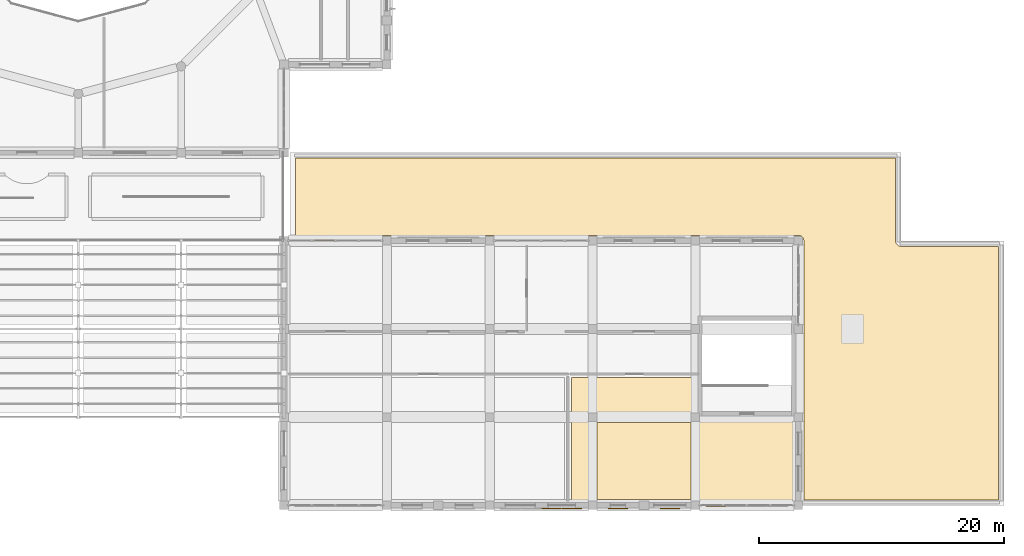
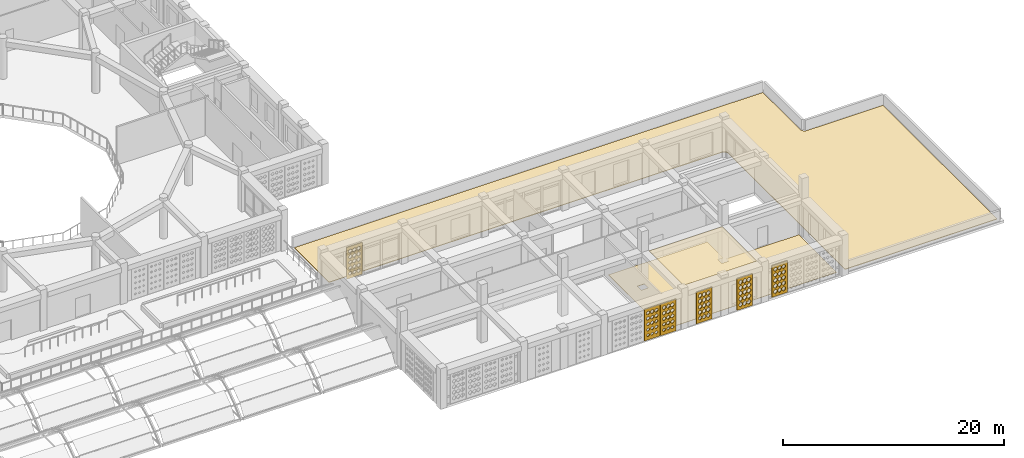
# One storey, part 80 of 100: 9 coverings.
"""IFC4 building model written with IfcOpenShell, lengths in metres."""

import ifcopenshell
import ifcopenshell.guid

model = None  # the IFC model being written
_history = None  # IfcOwnerHistory: only IFC2X3 demands one
_inside = {}  # id of a spatial element -> (the spatial element, [elements in it])
_under = {}  # id of a project, library or spatial element -> (it, [spatial elements below it])
_declared = {}  # id of a project -> (the project, [libraries it declares])
_typed = {}  # id of a type object -> (the type object, [elements of that type])
_made_of = {}  # id of a material, layer set ... -> (it, [elements and type objects made of it])


def new_model(schema):
    """Start an empty IFC model of exactly this schema.

    Asked for "IFC4X3", IfcOpenShell would pick the latest addendum, in which some entities
    have other attributes; the version numbers below select the first issue.
    IFC2X3 requires an IfcOwnerHistory on every rooted entity: one is made here for all.
    """
    global model, _history
    if schema == "IFC4X3":
        model = ifcopenshell.file(schema_version=(4, 3, 0, 0))
    else:
        model = ifcopenshell.file(schema=schema)
    _inside.clear()
    _under.clear()
    _declared.clear()
    _typed.clear()
    _made_of.clear()
    _history = None
    if model.schema == "IFC2X3":
        org = make("IfcOrganization", Name="unknown")
        user = make(
            "IfcPersonAndOrganization",
            ThePerson=make("IfcPerson", FamilyName="unknown"),
            TheOrganization=org,
        )
        app = make(
            "IfcApplication",
            ApplicationDeveloper=org,
            Version="unknown",
            ApplicationFullName="unknown",
            ApplicationIdentifier="unknown",
        )
        _history = make(
            "IfcOwnerHistory",
            OwningUser=user,
            OwningApplication=app,
            ChangeAction="ADDED",
            CreationDate=0,
        )
    return model


def make(cls, **values):
    """One entity of the class cls with the attributes given. An attribute that is None is left unset."""
    return model.create_entity(
        cls, **{name: value for name, value in values.items() if value is not None}
    )


def rooted(cls, **values):
    """An entity with a GlobalId (a new one), such as an element, a storey or a relation."""
    return make(cls, GlobalId=ifcopenshell.guid.new(), OwnerHistory=_history, **values)


def si_unit(unit_type, name, prefix=None):
    """IfcSIUnit, for example si_unit("LENGTHUNIT", "METRE", prefix="MILLI")."""
    return make("IfcSIUnit", UnitType=unit_type, Prefix=prefix, Name=name)


def derived_unit(unit_type, elements):
    """IfcDerivedUnit: a product of units, each with its exponent."""
    return make(
        "IfcDerivedUnit",
        Elements=[
            make("IfcDerivedUnitElement", Unit=unit, Exponent=power)
            for unit, power in elements
        ],
        UnitType=unit_type,
    )


def assignment(units):
    """IfcUnitAssignment: the units of a project."""
    return None if units is None else make("IfcUnitAssignment", Units=units)


def point(xyz):
    """IfcCartesianPoint."""
    return None if xyz is None else make("IfcCartesianPoint", Coordinates=xyz)


def direction(xyz):
    """IfcDirection."""
    return None if xyz is None else make("IfcDirection", DirectionRatios=xyz)


def frame(location, z_axis=None, x_axis=None):
    """IfcAxis2Placement3D, a coordinate frame: its origin and axes. An axis left out is left unset."""
    return make(
        "IfcAxis2Placement3D",
        Location=point(location),
        Axis=direction(z_axis),
        RefDirection=direction(x_axis),
    )


def origin():
    """The frame at (0, 0, 0) with its axes left unset."""
    return frame((0.0, 0.0, 0.0))


def place(relative_to, where):
    """IfcLocalPlacement: puts the frame where relative to a parent placement (None: the world)."""
    return make(
        "IfcLocalPlacement", PlacementRelTo=relative_to, RelativePlacement=where
    )


def context(
    kind, dimensions, precision=None, world=None, true_north=None, identifier=None
):
    """IfcGeometricRepresentationContext, for example the 3D "Model" context."""
    return make(
        "IfcGeometricRepresentationContext",
        ContextIdentifier=identifier,
        ContextType=kind,
        CoordinateSpaceDimension=dimensions,
        Precision=precision,
        WorldCoordinateSystem=world,
        TrueNorth=true_north,
    )


def subcontext(parent, identifier, kind, view, scale=None):
    """IfcGeometricRepresentationSubContext, for example "Body" below "Model"."""
    return make(
        "IfcGeometricRepresentationSubContext",
        ContextIdentifier=identifier,
        ContextType=kind,
        ParentContext=parent,
        TargetScale=scale,
        TargetView=view,
    )


def project(units=None, contexts=None):
    """IfcProject with its units and contexts."""
    return rooted(
        "IfcProject",
        Name="project",
        RepresentationContexts=contexts,
        UnitsInContext=assignment(units),
    )


def spatial(cls, under=None, at=None, **own):
    """A site, building, storey or space (cls), placed at a placement, below another one or the project."""
    s = rooted(cls, ObjectPlacement=at, **own)
    if under is not None:
        _under.setdefault(under.id(), (under, []))[1].append(s)
    return s


def polyline(points):
    """IfcPolyline through the points."""
    return make("IfcPolyline", Points=[point(p) for p in points])


def outline(outer, holes=None, kind="AREA"):
    """IfcArbitraryClosedProfileDef: a profile drawn as a closed curve; with holes, ...WithVoids."""
    if holes is None:
        return make("IfcArbitraryClosedProfileDef", ProfileType=kind, OuterCurve=outer)
    return make(
        "IfcArbitraryProfileDefWithVoids",
        ProfileType=kind,
        OuterCurve=outer,
        InnerCurves=holes,
    )


def extrude(swept, where, along, depth):
    """IfcExtrudedAreaSolid: the profile swept, set in the frame where, extruded along a direction by depth."""
    return make(
        "IfcExtrudedAreaSolid",
        SweptArea=swept,
        Position=where,
        ExtrudedDirection=direction(along),
        Depth=depth,
    )


def shape(context_of_items, identifier, shape_type, items):
    """IfcShapeRepresentation: the items that make up one representation, for example the "Body"."""
    return make(
        "IfcShapeRepresentation",
        ContextOfItems=context_of_items,
        RepresentationIdentifier=identifier,
        RepresentationType=shape_type,
        Items=items,
    )


def material(Name=None, Category=None):
    """IfcMaterial."""
    return make("IfcMaterial", Name=Name, Category=Category)


def layer(
    of_material, thickness, ventilated=None, Name=None, Category=None, Priority=None
):
    """IfcMaterialLayer: one layer of a wall or slab, of a material (None: an air gap)."""
    return make(
        "IfcMaterialLayer",
        Material=of_material,
        LayerThickness=thickness,
        IsVentilated=ventilated,
        Name=Name,
        Category=Category,
        Priority=Priority,
    )


def layer_set(layers, Name=None):
    """IfcMaterialLayerSet."""
    return make("IfcMaterialLayerSet", MaterialLayers=layers, LayerSetName=Name)


def made_of(thing, what):
    """Note that an element or type object is made of a material, layer set ...; save() writes the relation."""
    if what is not None:
        _made_of.setdefault(what.id(), (what, []))[1].append(thing)
    return thing


def type_object(cls, material=None, **own):
    """A type object (cls), such as IfcWallType, which elements share."""
    return made_of(rooted(cls, **own), material)


def element(
    cls,
    number,
    at=None,
    inside=None,
    cuts=None,
    type_object=None,
    material=None,
    context=None,
    identifier="Body",
    shape_type=None,
    held_by="IfcProductDefinitionShape",
    body=None,
    shapes=None,
    **own,
):
    """One element of the class cls, such as IfcWall. Its Tag is "e" and its number.

    at: its placement. inside: the storey or other place that contains it. cuts: it is an
    opening in that element (IfcRelVoidsElement). A single representation is given by context,
    identifier, shape_type and body (its items); several are given by shapes. held_by: the class
    of the entity that holds the representations. save() writes the other relations.
    """
    e = rooted(cls, Tag="e%d" % number, ObjectPlacement=at, **own)
    if body is not None:
        shapes = [shape(context, identifier, shape_type, body)]
    if shapes is not None:
        e.Representation = make(held_by, Representations=shapes)
    if inside is not None:
        _inside.setdefault(inside.id(), (inside, []))[1].append(e)
    if cuts is not None:
        rooted(
            "IfcRelVoidsElement", RelatingBuildingElement=cuts, RelatedOpeningElement=e
        )
    if type_object is not None:
        _typed.setdefault(type_object.id(), (type_object, []))[1].append(e)
    return made_of(e, material)


def aggregate(whole, parts):
    """IfcRelAggregates: a whole, such as a stair, and the parts it consists of."""
    return rooted("IfcRelAggregates", RelatingObject=whole, RelatedObjects=parts)


def save(model, path):
    """Write the relations noted so far, then the file.

    IfcRelAggregates (storeys below a building ...), IfcRelContainedInSpatialStructure (elements
    in a storey), IfcRelDefinesByType, IfcRelAssociatesMaterial and IfcRelDeclares: one each for
    every whole, place, type object, material and project.
    """
    for whole, parts in _under.values():
        aggregate(whole, parts)
    for where, things in _inside.values():
        rooted(
            "IfcRelContainedInSpatialStructure",
            RelatedElements=things,
            RelatingStructure=where,
        )
    for kind, things in _typed.values():
        rooted("IfcRelDefinesByType", RelatedObjects=things, RelatingType=kind)
    for what, things in _made_of.values():
        rooted("IfcRelAssociatesMaterial", RelatedObjects=things, RelatingMaterial=what)
    for by, libraries in _declared.values():
        rooted("IfcRelDeclares", RelatingContext=by, RelatedDefinitions=libraries)
    model.write(path)


model = new_model("IFC4")

# Units and contexts
model_context = context("Model", 3, precision=1e-05, world=origin(), true_north=direction((0.0, 1.0)))
body_context = subcontext(model_context, "Body", "Model", "MODEL_VIEW")
ifc_project = project(units=[si_unit("LENGTHUNIT", "METRE"), si_unit("AREAUNIT", "SQUARE_METRE"), si_unit("VOLUMEUNIT", "CUBIC_METRE"), si_unit("PLANEANGLEUNIT", "RADIAN"), si_unit("MASSUNIT", "GRAM", prefix="KILO"), derived_unit("THERMALTRANSMITTANCEUNIT", [(si_unit("POWERUNIT", "WATT"), 1), (si_unit("LENGTHUNIT", "METRE"), -2), (si_unit("THERMODYNAMICTEMPERATUREUNIT", "KELVIN"), -1)])], contexts=[model_context])

# Site, building, storey
site_placement = place(None, origin())
site = spatial("IfcSite", under=ifc_project, at=site_placement, CompositionType="ELEMENT")
building_placement = place(site_placement, origin())
building = spatial("IfcBuilding", under=site, at=building_placement, Name="Veybourne Emporium", CompositionType="ELEMENT")
storey_placement = place(building_placement, frame((0.0, 0.0, 14.39990234375)))
storey = spatial("IfcBuildingStorey", under=building, at=storey_placement, Name="L03", CompositionType="ELEMENT", Elevation=14.39990234375)

# Coverings
ifc_material_1 = material(Name="Mineral Acoustic Ceiling", Category="gypsum")
ifc_layer_1 = layer(ifc_material_1, 0.02490234375)
ifc_layer_set_1 = layer_set([ifc_layer_1], Name="Mineral Acoustic Ceiling")
covering_type_1 = type_object("IfcCoveringType", Name="Ceiling_CLG-01", PredefinedType="CEILING", material=ifc_layer_set_1)
covering_1_placement = place(storey_placement, frame((0.0, 0.0, 4.155029296875)))
element("IfcCovering", 1, at=covering_1_placement, inside=storey, type_object=covering_type_1, Name="L03 coffered acoustic ceiling 04", PredefinedType="CEILING", context=body_context, shape_type="SweptSolid", body=[
    extrude(outline(polyline([(125.626953125, 0.472900390625), (117.972900390625, 0.472900390625), (117.972900390625, 6.751953125), (125.626953125, 6.751953125), (125.626953125, 0.472900390625)])), origin(), (0.0, 0.0, 1.0), 0.025146484375),
])
ifc_material_2 = material(Name="European Oak Parquet", Category="wood")
ifc_layer_2 = layer(ifc_material_2, 0.034912109375)
ifc_layer_set_2 = layer_set([ifc_layer_2], Name="European Oak Parquet")
covering_type_2 = type_object("IfcCoveringType", Name="Flooring_FLR-02", PredefinedType="FLOORING", material=ifc_layer_set_2)
covering_2_placement = place(storey_placement, origin())
element("IfcCovering", 2, at=covering_2_placement, inside=storey, type_object=covering_type_2, Name="L03 floor finish 04", PredefinedType="FLOORING", context=body_context, shape_type="SweptSolid", body=[
    extrude(outline(polyline([(126.3583984375, 7.345458984375), (126.371826171875, 7.33740234375), (126.38916015625, 7.328125), (126.4033203125, 7.3212890625), (126.42138671875, 7.31396484375), (126.43603515625, 7.30859375), (126.454833984375, 7.302978515625), (126.47021484375, 7.299072265625), (126.489501953125, 7.295166015625), (126.505126953125, 7.29296875), (126.5244140625, 7.291015625), (126.540283203125, 7.290283203125), (126.550048828125, 7.2900390625), (133.85009765625, 7.2900390625), (133.85986328125, 7.290283203125), (133.87548828125, 7.291015625), (133.89501953125, 7.29296875), (133.910400390625, 7.295166015625), (133.929931640625, 7.299072265625), (133.945068359375, 7.302978515625), (133.9599609375, 7.307373046875), (133.9599609375, 0.43994140625), (115.860107421875, 0.43994140625), (115.860107421875, 10.43994140625), (126.18994140625, 10.43994140625), (126.18994140625, 7.64990234375), (126.190185546875, 7.64013671875), (126.19091796875, 7.62451171875), (126.19287109375, 7.60498046875), (126.1953125, 7.589599609375), (126.198974609375, 7.570068359375), (126.202880859375, 7.554931640625), (125.64501953125, 7.554931640625), (125.64501953125, 6.844970703125), (126.35498046875, 6.844970703125), (126.35498046875, 7.34765625), (126.3583984375, 7.345458984375)]), holes=[polyline([(117.2451171875, 7.554931640625), (117.2451171875, 6.844970703125), (117.955078125, 6.844970703125), (117.955078125, 7.554931640625), (117.2451171875, 7.554931640625)])]), origin(), (0.0, 0.0, 1.0), 0.03515625),
])
ifc_material_3 = material(Name="Single-Ply Warm Roof Membrane", Category="membrane")
ifc_layer_3 = layer(ifc_material_3, 0.06005859375)
ifc_layer_set_3 = layer_set([ifc_layer_3], Name="Single-Ply Warm Roof Membrane")
covering_type_3 = type_object("IfcCoveringType", Name="Roofing_RFG-01", PredefinedType="ROOFING", material=ifc_layer_set_3)
covering_3_placement = place(storey_placement, origin())
element("IfcCovering", 3, at=covering_3_placement, inside=storey, type_object=covering_type_3, Name="L03 warm-roof waterproofing membrane 4.1", PredefinedType="ROOFING", context=body_context, shape_type="SweptSolid", body=[
    extrude(outline(polyline([(93.35009765625, 22.050048828125), (93.35009765625, 28.35009765625), (142.35009765625, 28.35009765625), (142.35009765625, 21.60009765625), (142.35205078125, 21.555908203125), (142.358642578125, 21.51220703125), (142.369384765625, 21.469482421875), (142.38427734375, 21.427734375), (142.403076171875, 21.387939453125), (142.42578125, 21.35009765625), (142.4521484375, 21.314453125), (142.481689453125, 21.28173828125), (142.514404296875, 21.252197265625), (142.550048828125, 21.225830078125), (142.587890625, 21.203125), (142.627685546875, 21.184326171875), (142.66943359375, 21.16943359375), (142.712158203125, 21.15869140625), (142.755859375, 21.152099609375), (142.800048828125, 21.14990234375), (150.75, 21.14990234375), (150.75, 0.449951171875), (134.85009765625, 0.449951171875), (134.85009765625, 21.60009765625), (134.847900390625, 21.64404296875), (134.84130859375, 21.687744140625), (134.83056640625, 21.730712890625), (134.815673828125, 21.772216796875), (134.796875, 21.81201171875), (134.774169921875, 21.85009765625), (134.747802734375, 21.885498046875), (134.71826171875, 21.918212890625), (134.685546875, 21.94775390625), (134.64990234375, 21.97412109375), (134.612060546875, 21.996826171875), (134.572265625, 22.015869140625), (134.530517578125, 22.030517578125), (134.48779296875, 22.041259765625), (134.444091796875, 22.0478515625), (134.39990234375, 22.050048828125), (93.35009765625, 22.050048828125)])), origin(), (0.0, 0.0, 1.0), 0.06005859375),
])
ifc_material_4 = material(Name="Warm-White Perforated Aluminium Screen Alloy", Category="aluminium")
ifc_layer_4 = layer(ifc_material_4, 0.06005859375)
ifc_layer_set_4 = layer_set([ifc_layer_4], Name="Warm-White Perforated Aluminium Screen Alloy")
covering_type_4 = type_object("IfcCoveringType", Name="WaveScreen_SCR-01", PredefinedType="CLADDING", material=ifc_layer_set_4)
covering_4_placement = place(storey_placement, frame((95.760009765625, 21.693115234375, 1.815185546875), z_axis=(0.0, -1.0, 0.0), x_axis=(1.0, 0.0, 0.0)))
element("IfcCovering", 4, at=covering_4_placement, inside=storey, type_object=covering_type_4, Name="L03 wave-perforated aluminium screen SCR-01 (51C.2)", PredefinedType="CLADDING", context=body_context, shape_type="SweptSolid", body=[
    extrude(outline(polyline([(-0.81982421875, -1.7548828125), (0.81982421875, -1.7548828125), (0.81982421875, 1.7548828125), (-0.81982421875, 1.7548828125), (-0.81982421875, -1.7548828125)]), holes=[polyline([(-0.433349609375, -1.025390625), (-0.257568359375, -1.155029296875), (-0.257568359375, -1.30078125), (-0.433349609375, -1.430419921875), (-0.60888671875, -1.30078125), (-0.60888671875, -1.155029296875), (-0.433349609375, -1.025390625)]), polyline([(-0.433349609375, -0.397705078125), (-0.2470703125, -0.5361328125), (-0.2470703125, -0.69189453125), (-0.433349609375, -0.830322265625), (-0.61962890625, -0.69189453125), (-0.61962890625, -0.5361328125), (-0.433349609375, -0.397705078125)]), polyline([(-0.433349609375, 0.2294921875), (-0.2470703125, 0.08251953125), (-0.2470703125, -0.08251953125), (-0.433349609375, -0.2294921875), (-0.61962890625, -0.08251953125), (-0.61962890625, 0.08251953125), (-0.433349609375, 0.2294921875)]), polyline([(-0.433349609375, 0.855712890625), (-0.2470703125, 0.700927734375), (-0.2470703125, 0.527099609375), (-0.433349609375, 0.372314453125), (-0.61962890625, 0.527099609375), (-0.61962890625, 0.700927734375), (-0.433349609375, 0.855712890625)]), polyline([(-0.433349609375, 1.480224609375), (-0.2470703125, 1.31884765625), (-0.2470703125, 1.13720703125), (-0.433349609375, 0.975830078125), (-0.61962890625, 1.13720703125), (-0.61962890625, 1.31884765625), (-0.433349609375, 1.480224609375)]), polyline([(0.0, -1.01904296875), (0.180908203125, -1.15283203125), (0.180908203125, -1.30322265625), (0.0, -1.43701171875), (-0.180908203125, -1.30322265625), (-0.180908203125, -1.15283203125), (0.0, -1.01904296875)]), polyline([(0.0, -0.3916015625), (0.186279296875, -0.533935546875), (0.186279296875, -0.694091796875), (0.0, -0.83642578125), (-0.186279296875, -0.694091796875), (-0.186279296875, -0.533935546875), (0.0, -0.3916015625)]), polyline([(0.0, 0.235107421875), (0.186279296875, 0.084716796875), (0.186279296875, -0.084716796875), (0.0, -0.235107421875), (-0.186279296875, -0.084716796875), (-0.186279296875, 0.084716796875), (0.0, 0.235107421875)]), polyline([(0.0, 0.860595703125), (0.186279296875, 0.702880859375), (0.186279296875, 0.525146484375), (0.0, 0.367431640625), (-0.186279296875, 0.525146484375), (-0.186279296875, 0.702880859375), (0.0, 0.860595703125)]), polyline([(0.0, 1.484619140625), (0.186279296875, 1.3203125), (0.186279296875, 1.1357421875), (0.0, 0.971435546875), (-0.186279296875, 1.1357421875), (-0.186279296875, 1.3203125), (0.0, 1.484619140625)]), polyline([(0.433349609375, -1.012939453125), (0.619384765625, -1.150634765625), (0.619384765625, -1.305419921875), (0.433349609375, -1.443115234375), (0.247314453125, -1.305419921875), (0.247314453125, -1.150634765625), (0.433349609375, -1.012939453125)]), polyline([(0.433349609375, -0.385498046875), (0.61962890625, -0.53173828125), (0.61962890625, -0.6962890625), (0.433349609375, -0.84228515625), (0.2470703125, -0.6962890625), (0.2470703125, -0.53173828125), (0.433349609375, -0.385498046875)]), polyline([(0.433349609375, 0.240478515625), (0.61962890625, 0.086669921875), (0.61962890625, -0.086669921875), (0.433349609375, -0.240478515625), (0.2470703125, -0.086669921875), (0.2470703125, 0.086669921875), (0.433349609375, 0.240478515625)]), polyline([(0.433349609375, 0.865234375), (0.61962890625, 0.70458984375), (0.61962890625, 0.5234375), (0.433349609375, 0.36279296875), (0.2470703125, 0.5234375), (0.2470703125, 0.70458984375), (0.433349609375, 0.865234375)]), polyline([(0.433349609375, 1.48828125), (0.61962890625, 1.32177734375), (0.61962890625, 1.13427734375), (0.433349609375, 0.9677734375), (0.2470703125, 1.13427734375), (0.2470703125, 1.32177734375), (0.433349609375, 1.48828125)])]), origin(), (0.0, 0.0, 1.0), 0.06005859375),
])
covering_5_placement = place(storey_placement, frame((123.925048828125, -0.298095703125, 1.815185546875), z_axis=(0.0, 1.0, 0.0), x_axis=(-1.0, 0.0, 0.0)))
element("IfcCovering", 5, at=covering_5_placement, inside=storey, type_object=covering_type_4, Name="L03 wave-perforated aluminium screen SCR-01 (64A.1)", PredefinedType="CLADDING", context=body_context, shape_type="SweptSolid", body=[
    extrude(outline(polyline([(-0.81982421875, -1.7548828125), (0.81982421875, -1.7548828125), (0.81982421875, 1.7548828125), (-0.81982421875, 1.7548828125), (-0.81982421875, -1.7548828125)]), holes=[polyline([(-0.433349609375, -0.964111328125), (-0.2470703125, -1.133056640625), (-0.2470703125, -1.322998046875), (-0.433349609375, -1.491943359375), (-0.61962890625, -1.322998046875), (-0.61962890625, -1.133056640625), (-0.433349609375, -0.964111328125)]), polyline([(-0.433349609375, -0.35009765625), (-0.2470703125, -0.51904296875), (-0.2470703125, -0.708984375), (-0.433349609375, -0.8779296875), (-0.61962890625, -0.708984375), (-0.61962890625, -0.51904296875), (-0.433349609375, -0.35009765625)]), polyline([(-0.433349609375, 0.263916015625), (-0.2470703125, 0.094970703125), (-0.2470703125, -0.094970703125), (-0.433349609375, -0.263916015625), (-0.61962890625, -0.094970703125), (-0.61962890625, 0.094970703125), (-0.433349609375, 0.263916015625)]), polyline([(-0.433349609375, 0.8779296875), (-0.2470703125, 0.708984375), (-0.2470703125, 0.51904296875), (-0.433349609375, 0.35009765625), (-0.61962890625, 0.51904296875), (-0.61962890625, 0.708984375), (-0.433349609375, 0.8779296875)]), polyline([(-0.433349609375, 1.491943359375), (-0.2470703125, 1.322998046875), (-0.2470703125, 1.133056640625), (-0.433349609375, 0.964111328125), (-0.61962890625, 1.133056640625), (-0.61962890625, 1.322998046875), (-0.433349609375, 1.491943359375)]), polyline([(0.0, -0.964111328125), (0.186279296875, -1.133056640625), (0.186279296875, -1.322998046875), (0.0, -1.491943359375), (-0.186279296875, -1.322998046875), (-0.186279296875, -1.133056640625), (0.0, -0.964111328125)]), polyline([(0.0, -0.35009765625), (0.186279296875, -0.51904296875), (0.186279296875, -0.708984375), (0.0, -0.8779296875), (-0.186279296875, -0.708984375), (-0.186279296875, -0.51904296875), (0.0, -0.35009765625)]), polyline([(0.0, 0.263916015625), (0.186279296875, 0.094970703125), (0.186279296875, -0.094970703125), (0.0, -0.263916015625), (-0.186279296875, -0.094970703125), (-0.186279296875, 0.094970703125), (0.0, 0.263916015625)]), polyline([(0.0, 0.8779296875), (0.186279296875, 0.708984375), (0.186279296875, 0.51904296875), (0.0, 0.35009765625), (-0.186279296875, 0.51904296875), (-0.186279296875, 0.708984375), (0.0, 0.8779296875)]), polyline([(0.0, 1.491943359375), (0.186279296875, 1.322998046875), (0.186279296875, 1.133056640625), (0.0, 0.964111328125), (-0.186279296875, 1.133056640625), (-0.186279296875, 1.322998046875), (0.0, 1.491943359375)]), polyline([(0.433349609375, -0.964111328125), (0.61962890625, -1.133056640625), (0.61962890625, -1.322998046875), (0.433349609375, -1.491943359375), (0.2470703125, -1.322998046875), (0.2470703125, -1.133056640625), (0.433349609375, -0.964111328125)]), polyline([(0.433349609375, -0.35009765625), (0.61962890625, -0.51904296875), (0.61962890625, -0.708984375), (0.433349609375, -0.8779296875), (0.2470703125, -0.708984375), (0.2470703125, -0.51904296875), (0.433349609375, -0.35009765625)]), polyline([(0.433349609375, 0.263916015625), (0.61962890625, 0.094970703125), (0.61962890625, -0.094970703125), (0.433349609375, -0.263916015625), (0.2470703125, -0.094970703125), (0.2470703125, 0.094970703125), (0.433349609375, 0.263916015625)]), polyline([(0.433349609375, 0.8779296875), (0.61962890625, 0.708984375), (0.61962890625, 0.51904296875), (0.433349609375, 0.35009765625), (0.2470703125, 0.51904296875), (0.2470703125, 0.708984375), (0.433349609375, 0.8779296875)]), polyline([(0.433349609375, 1.491943359375), (0.61962890625, 1.322998046875), (0.61962890625, 1.133056640625), (0.433349609375, 0.964111328125), (0.2470703125, 1.133056640625), (0.2470703125, 1.322998046875), (0.433349609375, 1.491943359375)])]), origin(), (0.0, 0.0, 1.0), 0.06005859375),
])
covering_6_placement = place(storey_placement, frame((119.675048828125, -0.298095703125, 1.815185546875), z_axis=(0.0, 1.0, 0.0), x_axis=(-1.0, 0.0, 0.0)))
element("IfcCovering", 6, at=covering_6_placement, inside=storey, type_object=covering_type_4, Name="L03 wave-perforated aluminium screen SCR-01 (64B.1)", PredefinedType="CLADDING", context=body_context, shape_type="SweptSolid", body=[
    extrude(outline(polyline([(-0.81982421875, -1.7548828125), (0.81982421875, -1.7548828125), (0.81982421875, 1.7548828125), (-0.81982421875, 1.7548828125), (-0.81982421875, -1.7548828125)]), holes=[polyline([(-0.433349609375, -0.986572265625), (-0.2470703125, -1.14111328125), (-0.2470703125, -1.31494140625), (-0.433349609375, -1.469482421875), (-0.61962890625, -1.31494140625), (-0.61962890625, -1.14111328125), (-0.433349609375, -0.986572265625)]), polyline([(-0.433349609375, -0.36181640625), (-0.2470703125, -0.523193359375), (-0.2470703125, -0.70458984375), (-0.433349609375, -0.8662109375), (-0.61962890625, -0.70458984375), (-0.61962890625, -0.523193359375), (-0.433349609375, -0.36181640625)]), polyline([(-0.433349609375, 0.260986328125), (-0.2470703125, 0.093994140625), (-0.2470703125, -0.093994140625), (-0.433349609375, -0.260986328125), (-0.61962890625, -0.093994140625), (-0.61962890625, 0.093994140625), (-0.433349609375, 0.260986328125)]), polyline([(-0.433349609375, 0.8779296875), (-0.2470703125, 0.708984375), (-0.2470703125, 0.51904296875), (-0.433349609375, 0.35009765625), (-0.61962890625, 0.51904296875), (-0.61962890625, 0.708984375), (-0.433349609375, 0.8779296875)]), polyline([(-0.433349609375, 1.491943359375), (-0.2470703125, 1.322998046875), (-0.2470703125, 1.133056640625), (-0.433349609375, 0.964111328125), (-0.61962890625, 1.133056640625), (-0.61962890625, 1.322998046875), (-0.433349609375, 1.491943359375)]), polyline([(0.0, -0.991943359375), (0.186279296875, -1.14306640625), (0.186279296875, -1.31298828125), (0.0, -1.464111328125), (-0.186279296875, -1.31298828125), (-0.186279296875, -1.14306640625), (0.0, -0.991943359375)]), polyline([(0.0, -0.36669921875), (0.186279296875, -0.52490234375), (0.186279296875, -0.703125), (0.0, -0.861328125), (-0.186279296875, -0.703125), (-0.186279296875, -0.52490234375), (0.0, -0.36669921875)]), polyline([(0.0, 0.257080078125), (0.186279296875, 0.092529296875), (0.186279296875, -0.092529296875), (0.0, -0.257080078125), (-0.186279296875, -0.092529296875), (-0.186279296875, 0.092529296875), (0.0, 0.257080078125)]), polyline([(0.0, 0.8779296875), (0.186279296875, 0.708984375), (0.186279296875, 0.51904296875), (0.0, 0.35009765625), (-0.186279296875, 0.51904296875), (-0.186279296875, 0.708984375), (0.0, 0.8779296875)]), polyline([(0.0, 1.491943359375), (0.186279296875, 1.322998046875), (0.186279296875, 1.133056640625), (0.0, 0.964111328125), (-0.186279296875, 1.133056640625), (-0.186279296875, 1.322998046875), (0.0, 1.491943359375)]), polyline([(0.433349609375, -0.99755859375), (0.61962890625, -1.14501953125), (0.61962890625, -1.31103515625), (0.433349609375, -1.45849609375), (0.2470703125, -1.31103515625), (0.2470703125, -1.14501953125), (0.433349609375, -0.99755859375)]), polyline([(0.433349609375, -0.37158203125), (0.61962890625, -0.526611328125), (0.61962890625, -0.701416015625), (0.433349609375, -0.8564453125), (0.2470703125, -0.701416015625), (0.2470703125, -0.526611328125), (0.433349609375, -0.37158203125)]), polyline([(0.433349609375, 0.2529296875), (0.61962890625, 0.091064453125), (0.61962890625, -0.091064453125), (0.433349609375, -0.2529296875), (0.2470703125, -0.091064453125), (0.2470703125, 0.091064453125), (0.433349609375, 0.2529296875)]), polyline([(0.433349609375, 0.875732421875), (0.61962890625, 0.708251953125), (0.61962890625, 0.519775390625), (0.433349609375, 0.352294921875), (0.2470703125, 0.519775390625), (0.2470703125, 0.708251953125), (0.433349609375, 0.875732421875)]), polyline([(0.433349609375, 1.491943359375), (0.61962890625, 1.322998046875), (0.61962890625, 1.133056640625), (0.433349609375, 0.964111328125), (0.2470703125, 1.133056640625), (0.2470703125, 1.322998046875), (0.433349609375, 1.491943359375)])]), origin(), (0.0, 0.0, 1.0), 0.06005859375),
])
ifc_layer_5 = layer(ifc_material_4, 0.06005859375)
ifc_layer_set_5 = layer_set([ifc_layer_5], Name="Warm-White Perforated Aluminium Screen Alloy")
covering_type_5 = type_object("IfcCoveringType", Name="WaveScreen_SCR-02", PredefinedType="CLADDING", material=ifc_layer_set_5)
covering_7_placement = place(storey_placement, frame((127.679931640625, -0.095458984375, 1.815185546875), z_axis=(0.0, 1.0, 0.0), x_axis=(-1.0, 0.0, 0.0)))
element("IfcCovering", 7, at=covering_7_placement, inside=storey, type_object=covering_type_5, Name="L03 wave-perforated aluminium screen SCR-02 (66C.4)", PredefinedType="CLADDING", context=body_context, shape_type="SweptSolid", body=[
    extrude(outline(polyline([(-0.81982421875, -1.7548828125), (0.81982421875, -1.7548828125), (0.81982421875, 1.7548828125), (-0.81982421875, 1.7548828125), (-0.81982421875, -1.7548828125)]), holes=[polyline([(-0.433349609375, -0.96484375), (-0.2470703125, -1.13330078125), (-0.2470703125, -1.32275390625), (-0.433349609375, -1.4912109375), (-0.61962890625, -1.32275390625), (-0.61962890625, -1.13330078125), (-0.433349609375, -0.96484375)]), polyline([(-0.433349609375, -0.359130859375), (-0.2470703125, -0.522216796875), (-0.2470703125, -0.705810546875), (-0.433349609375, -0.868896484375), (-0.61962890625, -0.705810546875), (-0.61962890625, -0.522216796875), (-0.433349609375, -0.359130859375)]), polyline([(-0.433349609375, 0.24462890625), (-0.2470703125, 0.088134765625), (-0.2470703125, -0.088134765625), (-0.433349609375, -0.24462890625), (-0.61962890625, -0.088134765625), (-0.61962890625, 0.088134765625), (-0.433349609375, 0.24462890625)]), polyline([(-0.433349609375, 0.846923828125), (-0.2470703125, 0.697998046875), (-0.2470703125, 0.530029296875), (-0.433349609375, 0.381103515625), (-0.61962890625, 0.530029296875), (-0.61962890625, 0.697998046875), (-0.433349609375, 0.846923828125)]), polyline([(-0.433349609375, 1.447998046875), (-0.2470703125, 1.307373046875), (-0.2470703125, 1.148681640625), (-0.433349609375, 1.0078125), (-0.61962890625, 1.148681640625), (-0.61962890625, 1.307373046875), (-0.433349609375, 1.447998046875)]), polyline([(0.0, -0.964111328125), (0.186279296875, -1.133056640625), (0.186279296875, -1.322998046875), (0.0, -1.491943359375), (-0.186279296875, -1.322998046875), (-0.186279296875, -1.133056640625), (0.0, -0.964111328125)]), polyline([(0.0, -0.35498046875), (0.186279296875, -0.520751953125), (0.186279296875, -0.707275390625), (0.0, -0.872802734375), (-0.186279296875, -0.707275390625), (-0.186279296875, -0.520751953125), (0.0, -0.35498046875)]), polyline([(0.0, 0.24951171875), (0.186279296875, 0.08984375), (0.186279296875, -0.08984375), (0.0, -0.24951171875), (-0.186279296875, -0.08984375), (-0.186279296875, 0.08984375), (0.0, 0.24951171875)]), polyline([(0.0, 0.8525390625), (0.186279296875, 0.699951171875), (0.186279296875, 0.528076171875), (0.0, 0.37548828125), (-0.186279296875, 0.528076171875), (-0.186279296875, 0.699951171875), (0.0, 0.8525390625)]), polyline([(0.0, 1.4541015625), (0.186279296875, 1.309326171875), (0.186279296875, 1.146484375), (0.0, 1.001953125), (-0.186279296875, 1.146484375), (-0.186279296875, 1.309326171875), (0.0, 1.4541015625)]), polyline([(0.433349609375, -0.964111328125), (0.61962890625, -1.133056640625), (0.61962890625, -1.322998046875), (0.433349609375, -1.491943359375), (0.2470703125, -1.322998046875), (0.2470703125, -1.133056640625), (0.433349609375, -0.964111328125)]), polyline([(0.433349609375, -0.3515625), (0.61962890625, -0.51953125), (0.61962890625, -0.70849609375), (0.433349609375, -0.87646484375), (0.2470703125, -0.70849609375), (0.2470703125, -0.51953125), (0.433349609375, -0.3515625)]), polyline([(0.433349609375, 0.25390625), (0.61962890625, 0.09130859375), (0.61962890625, -0.09130859375), (0.433349609375, -0.25390625), (0.2470703125, -0.09130859375), (0.2470703125, 0.09130859375), (0.433349609375, 0.25390625)]), polyline([(0.433349609375, 0.857666015625), (0.61962890625, 0.70166015625), (0.61962890625, 0.5263671875), (0.433349609375, 0.370361328125), (0.2470703125, 0.5263671875), (0.2470703125, 0.70166015625), (0.433349609375, 0.857666015625)]), polyline([(0.433349609375, 1.4599609375), (0.61962890625, 1.3115234375), (0.61962890625, 1.14453125), (0.433349609375, 0.99609375), (0.2470703125, 1.14453125), (0.2470703125, 1.3115234375), (0.433349609375, 1.4599609375)])]), origin(), (0.0, 0.0, 1.0), 0.06005859375),
])
ifc_layer_6 = layer(ifc_material_4, 0.06005859375)
ifc_layer_set_6 = layer_set([ifc_layer_6], Name="Warm-White Perforated Aluminium Screen Alloy")
covering_type_6 = type_object("IfcCoveringType", Name="WaveScreen_SCR-03", PredefinedType="CLADDING", material=ifc_layer_set_6)
covering_8_placement = place(storey_placement, frame((115.919921875, -0.298095703125, 1.815185546875), z_axis=(0.0, 1.0, 0.0), x_axis=(-1.0, 0.0, 0.0)))
element("IfcCovering", 8, at=covering_8_placement, inside=storey, type_object=covering_type_6, Name="L03 wave-perforated aluminium screen SCR-03 (62.1)", PredefinedType="CLADDING", context=body_context, shape_type="SweptSolid", body=[
    extrude(outline(polyline([(-0.81982421875, -1.7548828125), (0.81982421875, -1.7548828125), (0.81982421875, 1.7548828125), (-0.81982421875, 1.7548828125), (-0.81982421875, -1.7548828125)]), holes=[polyline([(-0.433349609375, -1.038818359375), (-0.2685546875, -1.159912109375), (-0.2685546875, -1.296142578125), (-0.433349609375, -1.4169921875), (-0.59814453125, -1.296142578125), (-0.59814453125, -1.159912109375), (-0.433349609375, -1.038818359375)]), polyline([(-0.433349609375, -0.41064453125), (-0.257080078125, -0.540771484375), (-0.257080078125, -0.687255859375), (-0.433349609375, -0.8173828125), (-0.609619140625, -0.687255859375), (-0.609619140625, -0.540771484375), (-0.433349609375, -0.41064453125)]), polyline([(-0.433349609375, 0.217041015625), (-0.2470703125, 0.078125), (-0.2470703125, -0.078125), (-0.433349609375, -0.217041015625), (-0.61962890625, -0.078125), (-0.61962890625, 0.078125), (-0.433349609375, 0.217041015625)]), polyline([(-0.433349609375, 0.84423828125), (-0.2470703125, 0.697021484375), (-0.2470703125, 0.531005859375), (-0.433349609375, 0.3837890625), (-0.61962890625, 0.531005859375), (-0.61962890625, 0.697021484375), (-0.433349609375, 0.84423828125)]), polyline([(-0.433349609375, 1.47021484375), (-0.2470703125, 1.315185546875), (-0.2470703125, 1.140869140625), (-0.433349609375, 0.98583984375), (-0.61962890625, 1.140869140625), (-0.61962890625, 1.315185546875), (-0.433349609375, 1.47021484375)]), polyline([(0.0, -1.04541015625), (0.159423828125, -1.162109375), (0.159423828125, -1.293701171875), (0.0, -1.41064453125), (-0.159423828125, -1.293701171875), (-0.159423828125, -1.162109375), (0.0, -1.04541015625)]), polyline([(0.0, -0.4169921875), (0.171142578125, -0.543212890625), (0.171142578125, -0.684814453125), (0.0, -0.810791015625), (-0.171142578125, -0.684814453125), (-0.171142578125, -0.543212890625), (0.0, -0.4169921875)]), polyline([(0.0, 0.2109375), (0.1826171875, 0.075927734375), (0.1826171875, -0.075927734375), (0.0, -0.2109375), (-0.1826171875, -0.075927734375), (-0.1826171875, 0.075927734375), (0.0, 0.2109375)]), polyline([(0.0, 0.83837890625), (0.186279296875, 0.69482421875), (0.186279296875, 0.533203125), (0.0, 0.3896484375), (-0.186279296875, 0.533203125), (-0.186279296875, 0.69482421875), (0.0, 0.83837890625)]), polyline([(0.0, 1.46484375), (0.186279296875, 1.313232421875), (0.186279296875, 1.142578125), (0.0, 0.9912109375), (-0.186279296875, 1.142578125), (-0.186279296875, 1.313232421875), (0.0, 1.46484375)]), polyline([(0.433349609375, -1.051513671875), (0.587646484375, -1.16455078125), (0.587646484375, -1.29150390625), (0.433349609375, -1.404296875), (0.279052734375, -1.29150390625), (0.279052734375, -1.16455078125), (0.433349609375, -1.051513671875)]), polyline([(0.433349609375, -0.423583984375), (0.59912109375, -0.54541015625), (0.59912109375, -0.6826171875), (0.433349609375, -0.804443359375), (0.267578125, -0.6826171875), (0.267578125, -0.54541015625), (0.433349609375, -0.423583984375)]), polyline([(0.433349609375, 0.20458984375), (0.610595703125, 0.073486328125), (0.610595703125, -0.073486328125), (0.433349609375, -0.20458984375), (0.256103515625, -0.073486328125), (0.256103515625, 0.073486328125), (0.433349609375, 0.20458984375)]), polyline([(0.433349609375, 0.83251953125), (0.61962890625, 0.692626953125), (0.61962890625, 0.535400390625), (0.433349609375, 0.3955078125), (0.2470703125, 0.535400390625), (0.2470703125, 0.692626953125), (0.433349609375, 0.83251953125)]), polyline([(0.433349609375, 1.45947265625), (0.61962890625, 1.311279296875), (0.61962890625, 1.144775390625), (0.433349609375, 0.99658203125), (0.2470703125, 1.144775390625), (0.2470703125, 1.311279296875), (0.433349609375, 1.45947265625)])]), origin(), (0.0, 0.0, 1.0), 0.06005859375),
])
ifc_layer_7 = layer(ifc_material_4, 0.06005859375)
ifc_layer_set_7 = layer_set([ifc_layer_7], Name="Warm-White Perforated Aluminium Screen Alloy")
covering_type_7 = type_object("IfcCoveringType", Name="WaveScreen_SCR-04", PredefinedType="CLADDING", material=ifc_layer_set_7)
covering_9_placement = place(storey_placement, frame((114.239990234375, -0.298095703125, 1.815185546875), z_axis=(0.0, 1.0, 0.0), x_axis=(-1.0, 0.0, 0.0)))
element("IfcCovering", 9, at=covering_9_placement, inside=storey, type_object=covering_type_7, Name="L03 wave-perforated aluminium screen SCR-04 (62.2)", PredefinedType="CLADDING", context=body_context, shape_type="SweptSolid", body=[
    extrude(outline(polyline([(-0.81982421875, -1.7548828125), (0.81982421875, -1.7548828125), (0.81982421875, 1.7548828125), (-0.81982421875, 1.7548828125), (-0.81982421875, -1.7548828125)]), holes=[polyline([(-0.433349609375, -1.063232421875), (-0.28857421875, -1.168701171875), (-0.28857421875, -1.287353515625), (-0.433349609375, -1.392578125), (-0.578125, -1.287353515625), (-0.578125, -1.168701171875), (-0.433349609375, -1.063232421875)]), polyline([(-0.433349609375, -0.435546875), (-0.27734375, -0.5498046875), (-0.27734375, -0.67822265625), (-0.433349609375, -0.79248046875), (-0.58935546875, -0.67822265625), (-0.58935546875, -0.5498046875), (-0.433349609375, -0.435546875)]), polyline([(-0.433349609375, 0.1923828125), (-0.265869140625, 0.0693359375), (-0.265869140625, -0.0693359375), (-0.433349609375, -0.1923828125), (-0.600830078125, -0.0693359375), (-0.600830078125, 0.0693359375), (-0.433349609375, 0.1923828125)]), polyline([(-0.433349609375, 0.820556640625), (-0.25439453125, 0.6884765625), (-0.25439453125, 0.53955078125), (-0.433349609375, 0.407470703125), (-0.6123046875, 0.53955078125), (-0.6123046875, 0.6884765625), (-0.433349609375, 0.820556640625)]), polyline([(-0.433349609375, 1.4482421875), (-0.2470703125, 1.307373046875), (-0.2470703125, 1.148681640625), (-0.433349609375, 1.0078125), (-0.61962890625, 1.148681640625), (-0.61962890625, 1.307373046875), (-0.433349609375, 1.4482421875)]), polyline([(0.0, -1.069091796875), (0.139892578125, -1.1708984375), (0.139892578125, -1.28515625), (0.0, -1.38671875), (-0.139892578125, -1.28515625), (-0.139892578125, -1.1708984375), (0.0, -1.069091796875)]), polyline([(0.0, -0.44189453125), (0.15087890625, -0.552001953125), (0.15087890625, -0.676025390625), (0.0, -0.7861328125), (-0.15087890625, -0.676025390625), (-0.15087890625, -0.552001953125), (0.0, -0.44189453125)]), polyline([(0.0, 0.18603515625), (0.162353515625, 0.06689453125), (0.162353515625, -0.06689453125), (0.0, -0.18603515625), (-0.162353515625, -0.06689453125), (-0.162353515625, 0.06689453125), (0.0, 0.18603515625)]), polyline([(0.0, 0.814208984375), (0.173828125, 0.68603515625), (0.173828125, 0.5419921875), (0.0, 0.413818359375), (-0.173828125, 0.5419921875), (-0.173828125, 0.68603515625), (0.0, 0.814208984375)]), polyline([(0.0, 1.442138671875), (0.185302734375, 1.30517578125), (0.185302734375, 1.15087890625), (0.0, 1.013916015625), (-0.185302734375, 1.15087890625), (-0.185302734375, 1.30517578125), (0.0, 1.442138671875)]), polyline([(0.433349609375, -1.074951171875), (0.568603515625, -1.1728515625), (0.568603515625, -1.283203125), (0.433349609375, -1.381103515625), (0.298095703125, -1.283203125), (0.298095703125, -1.1728515625), (0.433349609375, -1.074951171875)]), polyline([(0.433349609375, -0.447998046875), (0.5791015625, -0.55419921875), (0.5791015625, -0.673583984375), (0.433349609375, -0.780029296875), (0.28759765625, -0.673583984375), (0.28759765625, -0.55419921875), (0.433349609375, -0.447998046875)]), polyline([(0.433349609375, 0.1796875), (0.59033203125, 0.064697265625), (0.59033203125, -0.064697265625), (0.433349609375, -0.1796875), (0.2763671875, -0.064697265625), (0.2763671875, 0.064697265625), (0.433349609375, 0.1796875)]), polyline([(0.433349609375, 0.807861328125), (0.601806640625, 0.683837890625), (0.601806640625, 0.544189453125), (0.433349609375, 0.420166015625), (0.2646484375, 0.544189453125), (0.2646484375, 0.683837890625), (0.433349609375, 0.807861328125)]), polyline([(0.433349609375, 1.435791015625), (0.613525390625, 1.302978515625), (0.613525390625, 1.153076171875), (0.433349609375, 1.02001953125), (0.253173828125, 1.153076171875), (0.253173828125, 1.302978515625), (0.433349609375, 1.435791015625)])]), origin(), (0.0, 0.0, 1.0), 0.06005859375),
])

save(model, "model.ifc")
